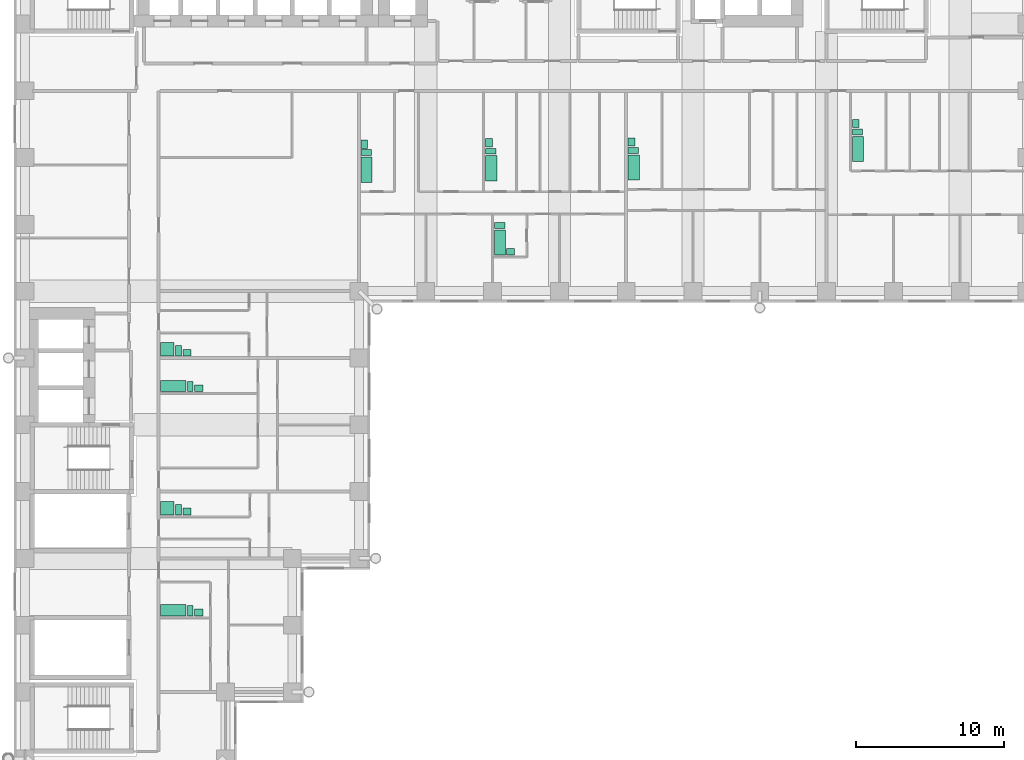
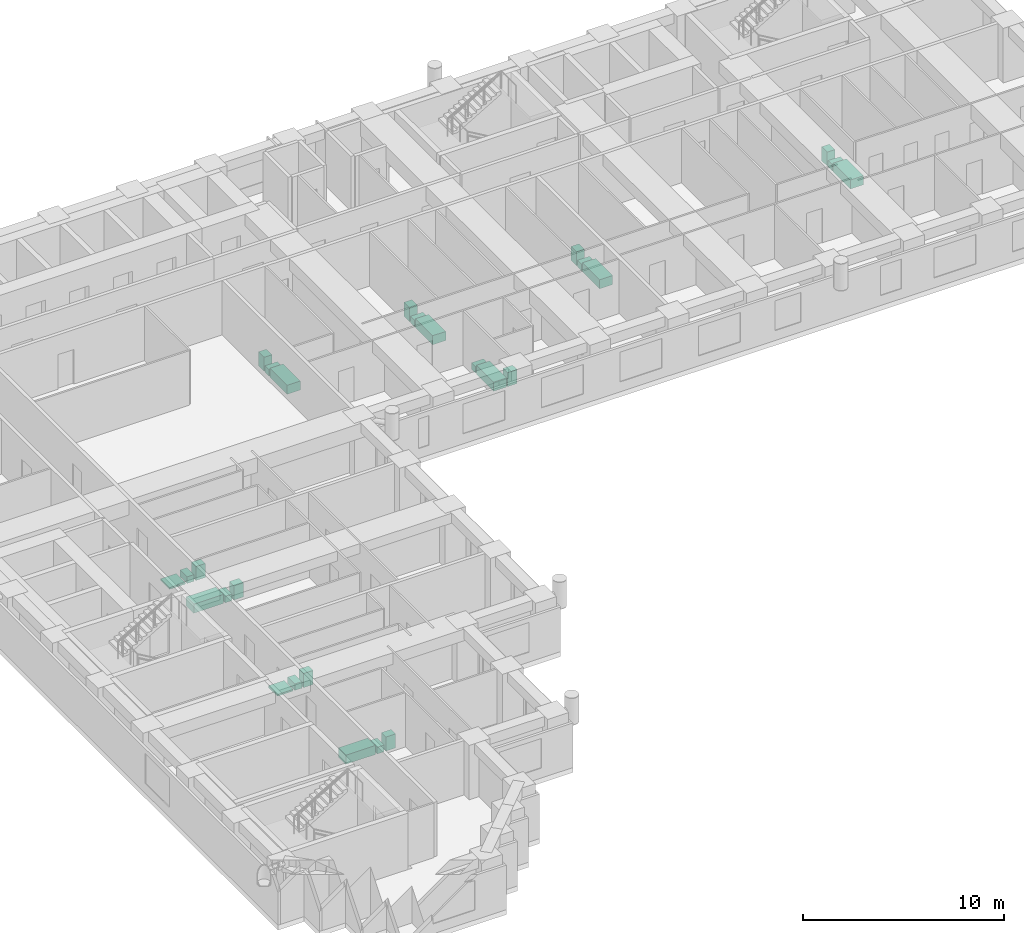
# One storey, part 14 of 14: 27 sanitary terminals.
"""IFC4 building model written with IfcOpenShell, lengths in metres."""

from ifc_helpers import new_model, si_unit, direction, frame, origin, origin_2d, place, context, subcontext, project, spatial, rectangle, extrude, material, type_object, element, save


model = new_model("IFC4")

# Units and contexts
model_context = context("Model", 3, precision=1e-05, world=origin(), true_north=direction((0.0, 1.0)))
body_context = subcontext(model_context, "Body", "Model", "MODEL_VIEW")
ifc_project = project(units=[si_unit("LENGTHUNIT", "METRE"), si_unit("AREAUNIT", "SQUARE_METRE"), si_unit("VOLUMEUNIT", "CUBIC_METRE"), si_unit("PLANEANGLEUNIT", "RADIAN"), si_unit("MASSUNIT", "GRAM", prefix="KILO")], contexts=[model_context])

# Site, building, storey
site_placement = place(None, origin())
site = spatial("IfcSite", under=ifc_project, at=site_placement, CompositionType="ELEMENT")
building_placement = place(site_placement, origin())
building = spatial("IfcBuilding", under=site, at=building_placement, Name="Firuza Court", CompositionType="ELEMENT")
storey_placement = place(building_placement, frame((0.0, 0.0, 47.0)))
storey = spatial("IfcBuildingStorey", under=building, at=storey_placement, Name="L10", CompositionType="ELEMENT", Elevation=47.0)

# Sanitary terminals
ifc_material_1 = material(Name="Vitreous china", Category="ceramic")
sanitary_terminal_type_1 = type_object("IfcSanitaryTerminalType", Name="Fixture Bath", PredefinedType="BATH", material=ifc_material_1)
for number, where, z_axis, x_axis, name in (
    (1, (23.0048828125, 44.179931640625, 0.0), (0.0, 0.0, 1.0), (1.0, 0.0, 0.0), "Bath"),
    (2, (31.405029296875, 44.280029296875, 0.0), (0.0, 0.0, 1.0), (1.0, 0.0, 0.0), "Bath"),
    (3, (32.0048828125, 39.280029296875, 0.0), (0.0, 0.0, 1.0), (1.0, 0.0, 0.0), "Bath"),
    (4, (41.0048828125, 44.330078125, 0.0), (0.0, 0.0, 1.0), (1.0, 0.0, 0.0), "Bath"),
    (5, (56.10498046875, 45.580078125, 0.0), (0.0, 0.0, 1.0), (1.0, 0.0, 0.0), "Bath"),
):
    element("IfcSanitaryTerminal", number, at=place(storey_placement, frame(where, z_axis=z_axis, x_axis=x_axis)), inside=storey, type_object=sanitary_terminal_type_1, Name=name, PredefinedType="BATH", context=body_context, shape_type="SweptSolid", body=[
        extrude(rectangle(XDim=0.75, YDim=1.699951171875, at=origin_2d()), origin(), (0.0, 0.0, 1.0), 0.550048828125),
    ])
for number, where, z_axis, x_axis, name in (
    (6, (9.97998046875, 29.60498046875, 0.0), (0.0, 0.0, 1.0), (1.0, 0.0, 0.0), "Bath"),
    (7, (9.97998046875, 14.5048828125, 0.0), (0.0, 0.0, 1.0), (1.0, 0.0, 0.0), "Bath"),
):
    element("IfcSanitaryTerminal", number, at=place(storey_placement, frame(where, z_axis=z_axis, x_axis=x_axis)), inside=storey, type_object=sanitary_terminal_type_1, Name=name, PredefinedType="BATH", context=body_context, shape_type="SweptSolid", body=[
        extrude(rectangle(XDim=1.699951171875, YDim=0.75, at=origin_2d()), origin(), (0.0, 0.0, 1.0), 0.550048828125),
    ])
ifc_material_2 = material(Name="Vitreous china", Category="ceramic")
sanitary_terminal_type_2 = type_object("IfcSanitaryTerminalType", Name="Fixture Shower tray", PredefinedType="SHOWER", material=ifc_material_2)
for number, where, z_axis, x_axis, name in (
    (8, (9.580078125, 32.080078125, 0.0), (0.0, 0.0, 1.0), (1.0, 0.0, 0.0), "Shower tray"),
    (9, (9.580078125, 21.3798828125, 0.0), (0.0, 0.0, 1.0), (1.0, 0.0, 0.0), "Shower tray"),
):
    element("IfcSanitaryTerminal", number, at=place(storey_placement, frame(where, z_axis=z_axis, x_axis=x_axis)), inside=storey, type_object=sanitary_terminal_type_2, Name=name, PredefinedType="SHOWER", context=body_context, shape_type="SweptSolid", body=[
        extrude(rectangle(XDim=0.89990234375, YDim=0.89990234375, at=origin_2d()), origin(), (0.0, 0.0, 1.0), 0.10009765625),
    ])
ifc_material_3 = material(Name="Vitreous china", Category="ceramic")
sanitary_terminal_type_3 = type_object("IfcSanitaryTerminalType", Name="Fixture WC pan", PredefinedType="TOILETPAN", material=ifc_material_3)
for number, where, z_axis, x_axis, name in (
    (10, (22.97998046875, 45.330078125, 0.0), (0.0, 0.0, 1.0), (1.0, 0.0, 0.0), "WC pan"),
    (11, (31.3798828125, 45.429931640625, 0.0), (0.0, 0.0, 1.0), (1.0, 0.0, 0.0), "WC pan"),
    (12, (31.97998046875, 40.429931640625, 0.0), (0.0, 0.0, 1.0), (1.0, 0.0, 0.0), "WC pan"),
    (13, (40.97998046875, 45.47998046875, 0.0), (0.0, 0.0, 1.0), (1.0, 0.0, 0.0), "WC pan"),
    (14, (56.080078125, 46.72998046875, 0.0), (0.0, 0.0, 1.0), (1.0, 0.0, 0.0), "WC pan"),
):
    element("IfcSanitaryTerminal", number, at=place(storey_placement, frame(where, z_axis=z_axis, x_axis=x_axis)), inside=storey, type_object=sanitary_terminal_type_3, Name=name, PredefinedType="TOILETPAN", context=body_context, shape_type="SweptSolid", body=[
        extrude(rectangle(XDim=0.699951171875, YDim=0.39990234375, at=origin_2d()), origin(), (0.0, 0.0, 1.0), 0.39990234375),
    ])
for number, where, z_axis, x_axis, name in (
    (15, (10.330078125, 31.97998046875, 0.0), (0.0, 0.0, 1.0), (1.0, 0.0, 0.0), "WC pan"),
    (16, (11.1298828125, 29.580078125, 0.0), (0.0, 0.0, 1.0), (1.0, 0.0, 0.0), "WC pan"),
    (17, (10.330078125, 21.280029296875, 0.0), (0.0, 0.0, 1.0), (1.0, 0.0, 0.0), "WC pan"),
    (18, (11.1298828125, 14.47998046875, 0.0), (0.0, 0.0, 1.0), (1.0, 0.0, 0.0), "WC pan"),
):
    element("IfcSanitaryTerminal", number, at=place(storey_placement, frame(where, z_axis=z_axis, x_axis=x_axis)), inside=storey, type_object=sanitary_terminal_type_3, Name=name, PredefinedType="TOILETPAN", context=body_context, shape_type="SweptSolid", body=[
        extrude(rectangle(XDim=0.39990234375, YDim=0.699951171875, at=origin_2d()), origin(), (0.0, 0.0, 1.0), 0.39990234375),
    ])
ifc_material_4 = material(Name="Vitreous china", Category="ceramic")
sanitary_terminal_type_4 = type_object("IfcSanitaryTerminalType", Name="Fixture Washbasin", PredefinedType="WASHHANDBASIN", material=ifc_material_4)
for number, where, z_axis, x_axis, name in (
    (19, (22.85498046875, 45.905029296875, 0.0), (0.0, 0.0, 1.0), (1.0, 0.0, 0.0), "Washbasin"),
    (20, (31.2548828125, 46.0048828125, 0.0), (0.0, 0.0, 1.0), (1.0, 0.0, 0.0), "Washbasin"),
):
    element("IfcSanitaryTerminal", number, at=place(storey_placement, frame(where, z_axis=z_axis, x_axis=x_axis)), inside=storey, type_object=sanitary_terminal_type_4, Name=name, PredefinedType="WASHHANDBASIN", context=body_context, shape_type="SweptSolid", body=[
        extrude(rectangle(XDim=0.449951171875, YDim=0.550048828125, at=origin_2d()), origin(), (0.0, 0.0, 1.0), 0.85009765625),
    ])
sanitary_terminal_placement = place(storey_placement, frame((32.705078125, 38.655029296875, 0.0), z_axis=(0.0, 0.0, 1.0), x_axis=(1.0, 0.0, 0.0)))
element("IfcSanitaryTerminal", 21, at=sanitary_terminal_placement, inside=storey, type_object=sanitary_terminal_type_4, Name="Washbasin", PredefinedType="WASHHANDBASIN", context=body_context, shape_type="SweptSolid", body=[
    extrude(rectangle(XDim=0.550048828125, YDim=0.449951171875, at=origin_2d()), origin(), (0.0, 0.0, 1.0), 0.85009765625),
])
for number, where, z_axis, x_axis, name in (
    (22, (40.85498046875, 46.054931640625, 0.0), (0.0, 0.0, 1.0), (1.0, 0.0, 0.0), "Washbasin"),
    (23, (55.955078125, 47.304931640625, 0.0), (0.0, 0.0, 1.0), (1.0, 0.0, 0.0), "Washbasin"),
):
    element("IfcSanitaryTerminal", number, at=place(storey_placement, frame(where, z_axis=z_axis, x_axis=x_axis)), inside=storey, type_object=sanitary_terminal_type_4, Name=name, PredefinedType="WASHHANDBASIN", context=body_context, shape_type="SweptSolid", body=[
        extrude(rectangle(XDim=0.449951171875, YDim=0.550048828125, at=origin_2d()), origin(), (0.0, 0.0, 1.0), 0.85009765625),
    ])
for number, where, z_axis, x_axis, name in (
    (24, (10.905029296875, 31.85498046875, 0.0), (0.0, 0.0, 1.0), (1.0, 0.0, 0.0), "Washbasin"),
    (25, (11.705078125, 29.455078125, 0.0), (0.0, 0.0, 1.0), (1.0, 0.0, 0.0), "Washbasin"),
    (26, (10.905029296875, 21.155029296875, 0.0), (0.0, 0.0, 1.0), (1.0, 0.0, 0.0), "Washbasin"),
    (27, (11.705078125, 14.35498046875, 0.0), (0.0, 0.0, 1.0), (1.0, 0.0, 0.0), "Washbasin"),
):
    element("IfcSanitaryTerminal", number, at=place(storey_placement, frame(where, z_axis=z_axis, x_axis=x_axis)), inside=storey, type_object=sanitary_terminal_type_4, Name=name, PredefinedType="WASHHANDBASIN", context=body_context, shape_type="SweptSolid", body=[
        extrude(rectangle(XDim=0.550048828125, YDim=0.449951171875, at=origin_2d()), origin(), (0.0, 0.0, 1.0), 0.85009765625),
    ])

save(model, "model.ifc")
